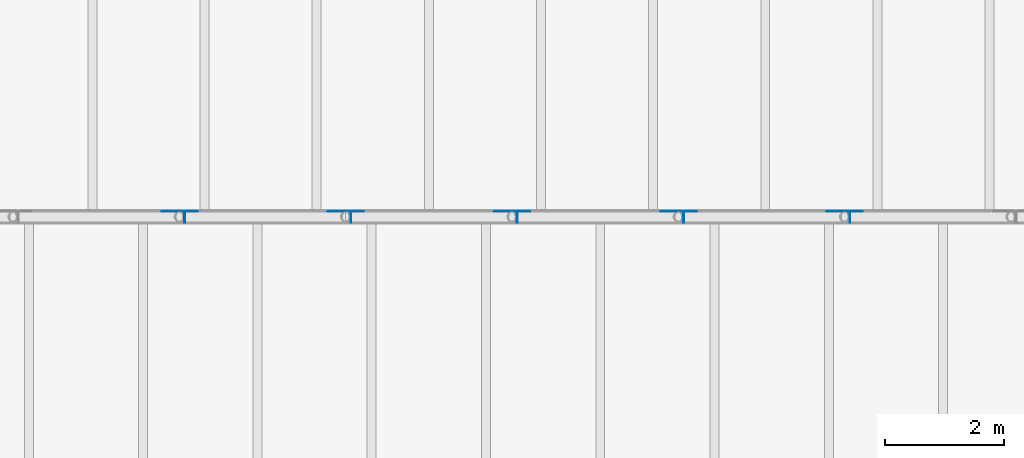
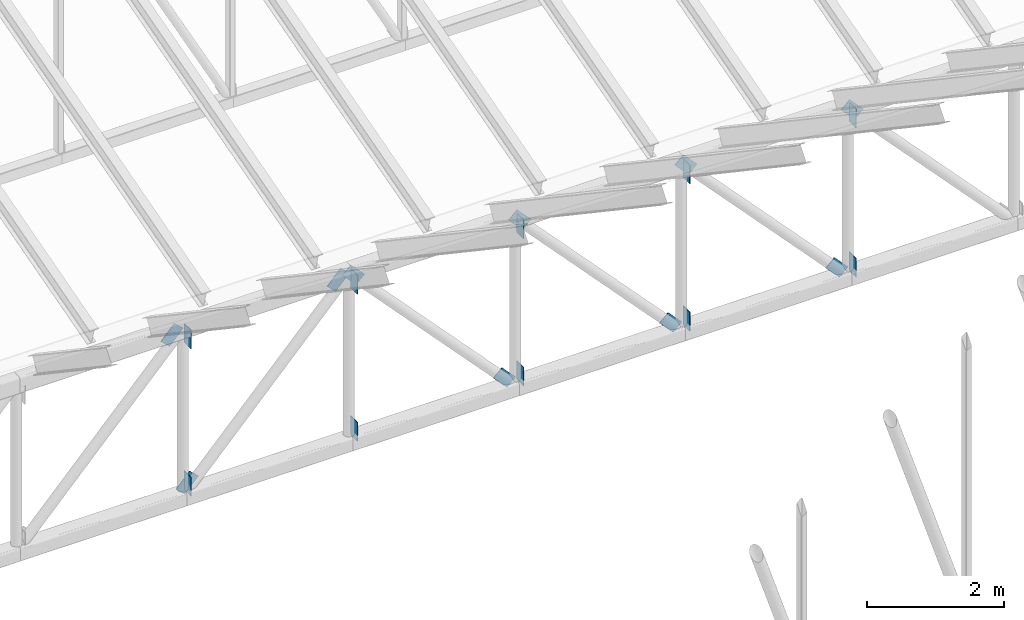
# One storey, part 62 of 68: 20 discrete accessories.
"""IFC4 building model written with IfcOpenShell, lengths in metres."""

from ifc_helpers import new_model, si_unit, direction, frame, origin, origin_2d, place, context, subcontext, project, spatial, rectangle, extrude, material, material_profile, profile_set, type_object, element, save


model = new_model("IFC4")

# Units and contexts
model_context = context("Model", 3, precision=1e-05, world=origin(), true_north=direction((0.0, 1.0)))
body_context = subcontext(model_context, "Body", "Model", "MODEL_VIEW")
ifc_project = project(units=[si_unit("LENGTHUNIT", "METRE"), si_unit("AREAUNIT", "SQUARE_METRE"), si_unit("VOLUMEUNIT", "CUBIC_METRE"), si_unit("PLANEANGLEUNIT", "RADIAN"), si_unit("MASSUNIT", "GRAM", prefix="KILO")], contexts=[model_context])

# Site, building, storey
site_placement = place(None, origin())
site = spatial("IfcSite", under=ifc_project, at=site_placement, CompositionType="ELEMENT")
building_placement = place(site_placement, origin())
building = spatial("IfcBuilding", under=site, at=building_placement, Name="Larchfold Concert Hall", CompositionType="ELEMENT")
storey_placement = place(building_placement, frame((0.0, 0.0, 28.800048828125)))
storey = spatial("IfcBuildingStorey", under=building, at=storey_placement, Name="L06", CompositionType="ELEMENT", Elevation=28.800048828125)

# Discrete accessories
ifc_material = material(Name="Steel S355 galvanised bracket", Category="steel")
ifc_material_profile = material_profile(ifc_material, rectangle(XDim=0.011962890625, YDim=0.199951171875, at=origin_2d()))
ifc_profile_set = profile_set([ifc_material_profile], Name="Steel S355 galvanised bracket")
discrete_accessory_type = type_object("IfcDiscreteAccessoryType", Name="Gusset plate 12x200", PredefinedType="BRACKET", material=ifc_profile_set)
for number, where, z_axis, x_axis, name in (
    (1, (38.484130859375, 102.0, 2.97998046875), (0.0, 0.0, -1.0), (1.0, 0.0, 0.0), "Gusset plate GP0457"),
    (2, (38.484130859375, 102.0, 0.356689453125), (0.0, 0.0, -1.0), (1.0, 0.0, 0.0), "Gusset plate GP0458"),
    (3, (41.2880859375, 102.0, 2.97998046875), (0.0, 0.0, -1.0), (1.0, 0.0, 0.0), "Gusset plate GP0459"),
    (4, (41.2880859375, 102.0, 0.356689453125), (0.0, 0.0, -1.0), (1.0, 0.0, 0.0), "Gusset plate GP0460"),
    (5, (44.09228515625, 102.0, 2.97998046875), (0.0, 0.0, -1.0), (1.0, 0.0, 0.0), "Gusset plate GP0461"),
    (6, (44.09228515625, 102.0, 0.356689453125), (0.0, 0.0, -1.0), (1.0, 0.0, 0.0), "Gusset plate GP0462"),
    (7, (46.896240234375, 102.0, 2.97998046875), (0.0, 0.0, -1.0), (1.0, 0.0, 0.0), "Gusset plate GP0463"),
    (8, (46.896240234375, 102.0, 0.356689453125), (0.0, 0.0, -1.0), (1.0, 0.0, 0.0), "Gusset plate GP0464"),
    (9, (49.7001953125, 102.0, 3.0), (0.0, 0.0, -1.0), (1.0, 0.0, 0.0), "Gusset plate GP0465"),
    (10, (49.7001953125, 102.0, 0.336669921875), (0.0, 0.0, -1.0), (1.0, 0.0, 0.0), "Gusset plate GP0466"),
):
    element("IfcDiscreteAccessory", number, at=place(storey_placement, frame(where, z_axis=z_axis, x_axis=x_axis)), inside=storey, type_object=discrete_accessory_type, Name=name, PredefinedType="BRACKET", context=body_context, shape_type="SweptSolid", body=[
        extrude(rectangle(XDim=0.011962890625, YDim=0.199951171875, at=origin_2d()), origin(), (0.0, 0.0, 1.0), 0.336669921875),
    ])
for number, where, z_axis, x_axis, name in (
    (11, (38.150634765625, 102.090087890625, 2.739501953125), (0.682757602912, 0.0, 0.730644958695), (0.0, 1.0, 0.0), "Gusset plate GP0488"),
    (12, (38.40771484375, 102.090087890625, 0.0146484375), (0.682757602912, 0.0, 0.730644958695), (0.0, 1.0, 0.0), "Gusset plate GP0489"),
    (13, (40.95458984375, 102.090087890625, 2.739501953125), (0.682757602912, 0.0, 0.730644958695), (0.0, 1.0, 0.0), "Gusset plate GP0490"),
    (14, (41.211669921875, 102.090087890625, 2.9853515625), (0.682757602912, 0.0, -0.730644958695), (0.0, 1.0, 0.0), "Gusset plate GP0491"),
    (15, (43.7587890625, 102.090087890625, 0.260498046875), (0.682757602912, 0.0, -0.730644958695), (0.0, 1.0, 0.0), "Gusset plate GP0492"),
    (16, (44.015869140625, 102.090087890625, 2.9853515625), (0.682757602912, 0.0, -0.730644958695), (0.0, 1.0, 0.0), "Gusset plate GP0493"),
    (17, (46.562744140625, 102.090087890625, 0.260498046875), (0.682757602912, 0.0, -0.730644958695), (0.0, 1.0, 0.0), "Gusset plate GP0494"),
    (18, (46.81982421875, 102.090087890625, 2.9853515625), (0.682757602912, 0.0, -0.730644958695), (0.0, 1.0, 0.0), "Gusset plate GP0495"),
    (19, (49.36669921875, 102.090087890625, 0.260498046875), (0.682757602912, 0.0, -0.730644958695), (0.0, 1.0, 0.0), "Gusset plate GP0496"),
    (20, (49.623779296875, 102.090087890625, 2.9853515625), (0.682757602912, 0.0, -0.730644958695), (0.0, 1.0, 0.0), "Gusset plate GP0497"),
):
    element("IfcDiscreteAccessory", number, at=place(storey_placement, frame(where, z_axis=z_axis, x_axis=x_axis)), inside=storey, type_object=discrete_accessory_type, Name=name, PredefinedType="BRACKET", context=body_context, shape_type="SweptSolid", body=[
        extrude(rectangle(XDim=0.011962890625, YDim=0.199951171875, at=origin_2d()), origin(), (0.0, 0.0, 1.0), 0.33642578125),
    ])

save(model, "model.ifc")
